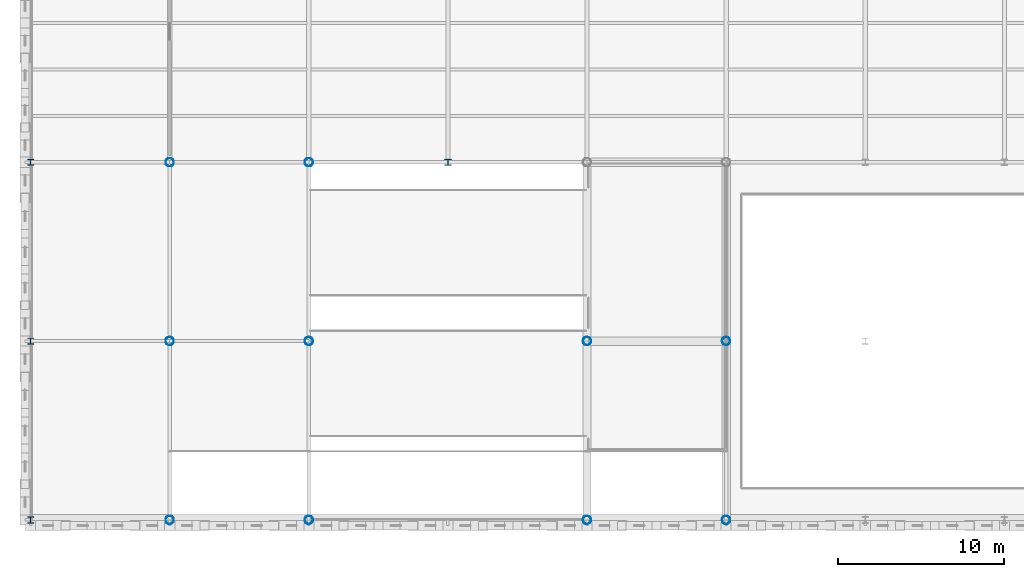
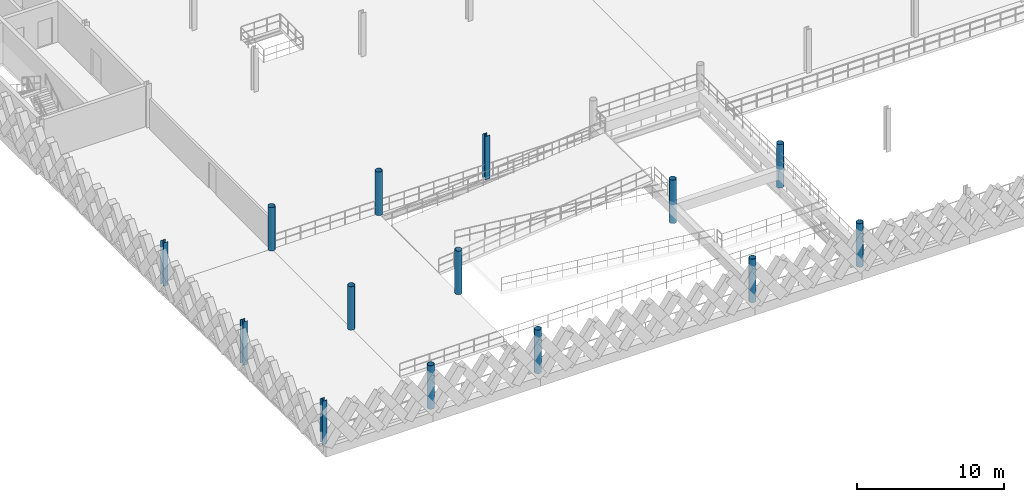
# One storey, part 1 of 74: 14 columns.
"""IFC4 building model written with IfcOpenShell, lengths in metres."""

import ifcopenshell
import ifcopenshell.guid

model = None  # the IFC model being written
_history = None  # IfcOwnerHistory: only IFC2X3 demands one
_inside = {}  # id of a spatial element -> (the spatial element, [elements in it])
_under = {}  # id of a project, library or spatial element -> (it, [spatial elements below it])
_declared = {}  # id of a project -> (the project, [libraries it declares])
_typed = {}  # id of a type object -> (the type object, [elements of that type])
_made_of = {}  # id of a material, layer set ... -> (it, [elements and type objects made of it])


def new_model(schema):
    """Start an empty IFC model of exactly this schema.

    Asked for "IFC4X3", IfcOpenShell would pick the latest addendum, in which some entities
    have other attributes; the version numbers below select the first issue.
    IFC2X3 requires an IfcOwnerHistory on every rooted entity: one is made here for all.
    """
    global model, _history
    if schema == "IFC4X3":
        model = ifcopenshell.file(schema_version=(4, 3, 0, 0))
    else:
        model = ifcopenshell.file(schema=schema)
    _inside.clear()
    _under.clear()
    _declared.clear()
    _typed.clear()
    _made_of.clear()
    _history = None
    if model.schema == "IFC2X3":
        org = make("IfcOrganization", Name="unknown")
        user = make(
            "IfcPersonAndOrganization",
            ThePerson=make("IfcPerson", FamilyName="unknown"),
            TheOrganization=org,
        )
        app = make(
            "IfcApplication",
            ApplicationDeveloper=org,
            Version="unknown",
            ApplicationFullName="unknown",
            ApplicationIdentifier="unknown",
        )
        _history = make(
            "IfcOwnerHistory",
            OwningUser=user,
            OwningApplication=app,
            ChangeAction="ADDED",
            CreationDate=0,
        )
    return model


def make(cls, **values):
    """One entity of the class cls with the attributes given. An attribute that is None is left unset."""
    return model.create_entity(
        cls, **{name: value for name, value in values.items() if value is not None}
    )


def rooted(cls, **values):
    """An entity with a GlobalId (a new one), such as an element, a storey or a relation."""
    return make(cls, GlobalId=ifcopenshell.guid.new(), OwnerHistory=_history, **values)


def si_unit(unit_type, name, prefix=None):
    """IfcSIUnit, for example si_unit("LENGTHUNIT", "METRE", prefix="MILLI")."""
    return make("IfcSIUnit", UnitType=unit_type, Prefix=prefix, Name=name)


def assignment(units):
    """IfcUnitAssignment: the units of a project."""
    return None if units is None else make("IfcUnitAssignment", Units=units)


def point(xyz):
    """IfcCartesianPoint."""
    return None if xyz is None else make("IfcCartesianPoint", Coordinates=xyz)


def direction(xyz):
    """IfcDirection."""
    return None if xyz is None else make("IfcDirection", DirectionRatios=xyz)


def frame(location, z_axis=None, x_axis=None):
    """IfcAxis2Placement3D, a coordinate frame: its origin and axes. An axis left out is left unset."""
    return make(
        "IfcAxis2Placement3D",
        Location=point(location),
        Axis=direction(z_axis),
        RefDirection=direction(x_axis),
    )


def frame_2d(location, x_axis=None):
    """IfcAxis2Placement2D, a coordinate frame in the plane: its origin and x axis."""
    return make(
        "IfcAxis2Placement2D", Location=point(location), RefDirection=direction(x_axis)
    )


def origin():
    """The frame at (0, 0, 0) with its axes left unset."""
    return frame((0.0, 0.0, 0.0))


def origin_2d():
    """The frame at (0, 0) in the plane with its x axis left unset."""
    return frame_2d((0.0, 0.0))


def place(relative_to, where):
    """IfcLocalPlacement: puts the frame where relative to a parent placement (None: the world)."""
    return make(
        "IfcLocalPlacement", PlacementRelTo=relative_to, RelativePlacement=where
    )


def context(
    kind, dimensions, precision=None, world=None, true_north=None, identifier=None
):
    """IfcGeometricRepresentationContext, for example the 3D "Model" context."""
    return make(
        "IfcGeometricRepresentationContext",
        ContextIdentifier=identifier,
        ContextType=kind,
        CoordinateSpaceDimension=dimensions,
        Precision=precision,
        WorldCoordinateSystem=world,
        TrueNorth=true_north,
    )


def subcontext(parent, identifier, kind, view, scale=None):
    """IfcGeometricRepresentationSubContext, for example "Body" below "Model"."""
    return make(
        "IfcGeometricRepresentationSubContext",
        ContextIdentifier=identifier,
        ContextType=kind,
        ParentContext=parent,
        TargetScale=scale,
        TargetView=view,
    )


def project(units=None, contexts=None):
    """IfcProject with its units and contexts."""
    return rooted(
        "IfcProject",
        Name="project",
        RepresentationContexts=contexts,
        UnitsInContext=assignment(units),
    )


def spatial(cls, under=None, at=None, **own):
    """A site, building, storey or space (cls), placed at a placement, below another one or the project."""
    s = rooted(cls, ObjectPlacement=at, **own)
    if under is not None:
        _under.setdefault(under.id(), (under, []))[1].append(s)
    return s


def profile(cls, at=None, kind="AREA", **sizes):
    """A parametric profile (cls). Its sizes go by their IFC names, for example OverallWidth=200.0."""
    return make(cls, ProfileType=kind, Position=at, **sizes)


def hollow_circle(**sizes):
    """IfcCircleHollowProfileDef."""
    return profile("IfcCircleHollowProfileDef", **sizes)


def i_section(**sizes):
    """IfcIShapeProfileDef."""
    return profile("IfcIShapeProfileDef", **sizes)


def extrude(swept, where, along, depth):
    """IfcExtrudedAreaSolid: the profile swept, set in the frame where, extruded along a direction by depth."""
    return make(
        "IfcExtrudedAreaSolid",
        SweptArea=swept,
        Position=where,
        ExtrudedDirection=direction(along),
        Depth=depth,
    )


def shape(context_of_items, identifier, shape_type, items):
    """IfcShapeRepresentation: the items that make up one representation, for example the "Body"."""
    return make(
        "IfcShapeRepresentation",
        ContextOfItems=context_of_items,
        RepresentationIdentifier=identifier,
        RepresentationType=shape_type,
        Items=items,
    )


def material(Name=None, Category=None):
    """IfcMaterial."""
    return make("IfcMaterial", Name=Name, Category=Category)


def material_profile(
    of_material, cross_section, Name=None, Category=None, Priority=None
):
    """IfcMaterialProfile: a cross section and its material."""
    return make(
        "IfcMaterialProfile",
        Name=Name,
        Material=of_material,
        Profile=cross_section,
        Priority=Priority,
        Category=Category,
    )


def profile_set(profiles, Name=None, composite=None):
    """IfcMaterialProfileSet."""
    return make(
        "IfcMaterialProfileSet",
        Name=Name,
        MaterialProfiles=profiles,
        CompositeProfile=composite,
    )


def made_of(thing, what):
    """Note that an element or type object is made of a material, layer set ...; save() writes the relation."""
    if what is not None:
        _made_of.setdefault(what.id(), (what, []))[1].append(thing)
    return thing


def type_object(cls, material=None, **own):
    """A type object (cls), such as IfcWallType, which elements share."""
    return made_of(rooted(cls, **own), material)


def element(
    cls,
    number,
    at=None,
    inside=None,
    cuts=None,
    type_object=None,
    material=None,
    context=None,
    identifier="Body",
    shape_type=None,
    held_by="IfcProductDefinitionShape",
    body=None,
    shapes=None,
    **own,
):
    """One element of the class cls, such as IfcWall. Its Tag is "e" and its number.

    at: its placement. inside: the storey or other place that contains it. cuts: it is an
    opening in that element (IfcRelVoidsElement). A single representation is given by context,
    identifier, shape_type and body (its items); several are given by shapes. held_by: the class
    of the entity that holds the representations. save() writes the other relations.
    """
    e = rooted(cls, Tag="e%d" % number, ObjectPlacement=at, **own)
    if body is not None:
        shapes = [shape(context, identifier, shape_type, body)]
    if shapes is not None:
        e.Representation = make(held_by, Representations=shapes)
    if inside is not None:
        _inside.setdefault(inside.id(), (inside, []))[1].append(e)
    if cuts is not None:
        rooted(
            "IfcRelVoidsElement", RelatingBuildingElement=cuts, RelatedOpeningElement=e
        )
    if type_object is not None:
        _typed.setdefault(type_object.id(), (type_object, []))[1].append(e)
    return made_of(e, material)


def aggregate(whole, parts):
    """IfcRelAggregates: a whole, such as a stair, and the parts it consists of."""
    return rooted("IfcRelAggregates", RelatingObject=whole, RelatedObjects=parts)


def save(model, path):
    """Write the relations noted so far, then the file.

    IfcRelAggregates (storeys below a building ...), IfcRelContainedInSpatialStructure (elements
    in a storey), IfcRelDefinesByType, IfcRelAssociatesMaterial and IfcRelDeclares: one each for
    every whole, place, type object, material and project.
    """
    for whole, parts in _under.values():
        aggregate(whole, parts)
    for where, things in _inside.values():
        rooted(
            "IfcRelContainedInSpatialStructure",
            RelatedElements=things,
            RelatingStructure=where,
        )
    for kind, things in _typed.values():
        rooted("IfcRelDefinesByType", RelatedObjects=things, RelatingType=kind)
    for what, things in _made_of.values():
        rooted("IfcRelAssociatesMaterial", RelatedObjects=things, RelatingMaterial=what)
    for by, libraries in _declared.values():
        rooted("IfcRelDeclares", RelatingContext=by, RelatedDefinitions=libraries)
    model.write(path)


model = new_model("IFC4")

# Units and contexts
model_context = context("Model", 3, precision=1e-05, world=origin(), true_north=direction((0.0, 1.0)))
body_context = subcontext(model_context, "Body", "Model", "MODEL_VIEW")
ifc_project = project(units=[si_unit("LENGTHUNIT", "METRE"), si_unit("AREAUNIT", "SQUARE_METRE"), si_unit("VOLUMEUNIT", "CUBIC_METRE"), si_unit("PLANEANGLEUNIT", "RADIAN"), si_unit("MASSUNIT", "GRAM", prefix="KILO"), si_unit("THERMODYNAMICTEMPERATUREUNIT", "KELVIN"), si_unit("POWERUNIT", "WATT")], contexts=[model_context])

# Site, building, storey
site_placement = place(None, origin())
site = spatial("IfcSite", under=ifc_project, at=site_placement, CompositionType="ELEMENT")
building_placement = place(site_placement, origin())
building = spatial("IfcBuilding", under=site, at=building_placement, Name="Tembeka Court Mobility Hub", CompositionType="ELEMENT")
storey_placement = place(building_placement, frame((0.0, 0.0, 12.60009765625)))
storey = spatial("IfcBuildingStorey", under=building, at=storey_placement, Name="L03", CompositionType="ELEMENT", Elevation=12.60009765625)

# Columns
ifc_material = material(Name="Steel S355", Category="steel")
ifc_material_profile_1 = material_profile(ifc_material, i_section(OverallWidth=0.373046875, OverallDepth=0.367919921875, WebThickness=0.014404296875, FlangeThickness=0.023681640625, FilletRadius=0.01513671875, at=origin_2d()), Name="UKC 356x368x177")
ifc_profile_set_1 = profile_set([ifc_material_profile_1], Name="Steel S355")
column_type_1 = type_object("IfcColumnType", Name="COL-C03", PredefinedType="COLUMN", material=ifc_profile_set_1)
for number, where, z_axis, x_axis, name in (
    (1, (0.0, 0.0, 0.0), (0.0, 0.0, 1.0), (1.0, 0.0, 0.0), "Column C03 (L03-001)"),
    (2, (0.0, 10.800048828125, 0.0), (0.0, 0.0, 1.0), (1.0, 0.0, 0.0), "Column C03 (L03-002)"),
    (3, (0.0, 21.60009765625, 0.0), (0.0, 0.0, 1.0), (1.0, 0.0, 0.0), "Column C03 (L03-003)"),
    (4, (25.199951171875, 21.60009765625, 0.0), (0.0, 0.0, 1.0), (1.0, 0.0, 0.0), "Column C03 (L03-038)"),
):
    element("IfcColumn", number, at=place(storey_placement, frame(where, z_axis=z_axis, x_axis=x_axis)), inside=storey, type_object=column_type_1, Name=name, PredefinedType="COLUMN", context=body_context, shape_type="SweptSolid", body=[
        extrude(i_section(OverallWidth=0.373046875, OverallDepth=0.367919921875, WebThickness=0.014404296875, FlangeThickness=0.023681640625, FilletRadius=0.01513671875, at=origin_2d()), origin(), (0.0, 0.0, 1.0), 3.599853515625),
    ])
ifc_material_profile_2 = material_profile(ifc_material, hollow_circle(Radius=0.25390625, WallThickness=0.01611328125, at=origin_2d()), Name="CHS 508x16")
ifc_profile_set_2 = profile_set([ifc_material_profile_2], Name="Steel S355")
column_type_2 = type_object("IfcColumnType", Name="COL-C08", PredefinedType="COLUMN", material=ifc_profile_set_2)
for number, where, z_axis, x_axis, name in (
    (5, (8.39990234375, 0.0, 0.0), (0.0, 0.0, 1.0), (1.0, 0.0, 0.0), "Column C08 (L03-013)"),
    (6, (8.39990234375, 10.800048828125, 0.0), (0.0, 0.0, 1.0), (1.0, 0.0, 0.0), "Column C08 (L03-014)"),
    (7, (8.39990234375, 21.60009765625, 0.0), (0.0, 0.0, 1.0), (1.0, 0.0, 0.0), "Column C08 (L03-015)"),
    (8, (16.800048828125, 0.0, 0.0), (0.0, 0.0, 1.0), (1.0, 0.0, 0.0), "Column C08 (L03-025)"),
    (9, (16.800048828125, 10.800048828125, 0.0), (0.0, 0.0, 1.0), (1.0, 0.0, 0.0), "Column C08 (L03-026)"),
    (10, (16.800048828125, 21.60009765625, 0.0), (0.0, 0.0, 1.0), (1.0, 0.0, 0.0), "Column C08 (L03-027)"),
    (11, (33.60009765625, 0.0, 0.0), (0.0, 0.0, 1.0), (1.0, 0.0, 0.0), "Column C08 (L03-047)"),
    (12, (33.60009765625, 10.800048828125, 0.0), (0.0, 0.0, 1.0), (1.0, 0.0, 0.0), "Column C08 (L03-048)"),
    (13, (42.0, 0.0, 0.0), (0.0, 0.0, 1.0), (1.0, 0.0, 0.0), "Column C08 (L03-059)"),
    (14, (42.0, 10.800048828125, 0.0), (0.0, 0.0, 1.0), (1.0, 0.0, 0.0), "Column C08 (L03-060)"),
):
    element("IfcColumn", number, at=place(storey_placement, frame(where, z_axis=z_axis, x_axis=x_axis)), inside=storey, type_object=column_type_2, Name=name, PredefinedType="COLUMN", context=body_context, shape_type="SweptSolid", body=[
        extrude(hollow_circle(Radius=0.25390625, WallThickness=0.01611328125, at=origin_2d()), origin(), (0.0, 0.0, 1.0), 3.599853515625),
    ])

save(model, "model.ifc")
